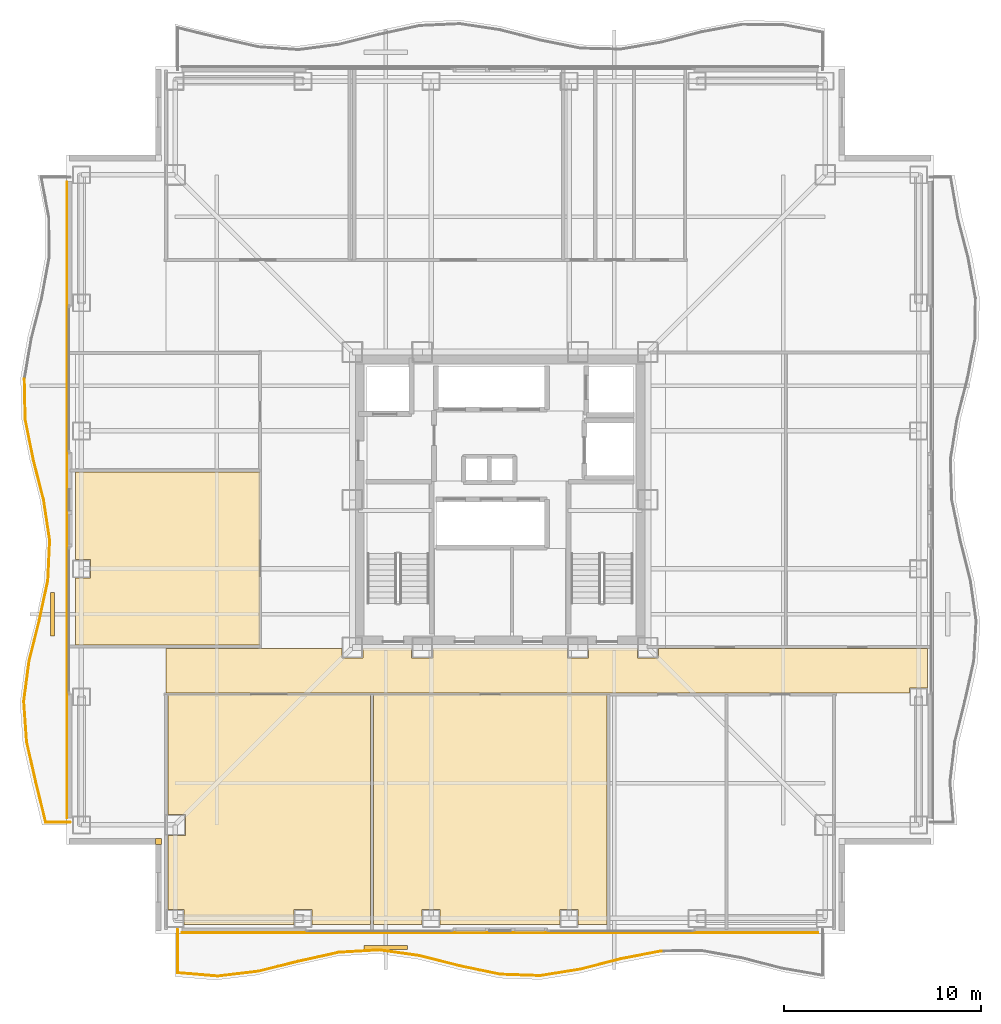
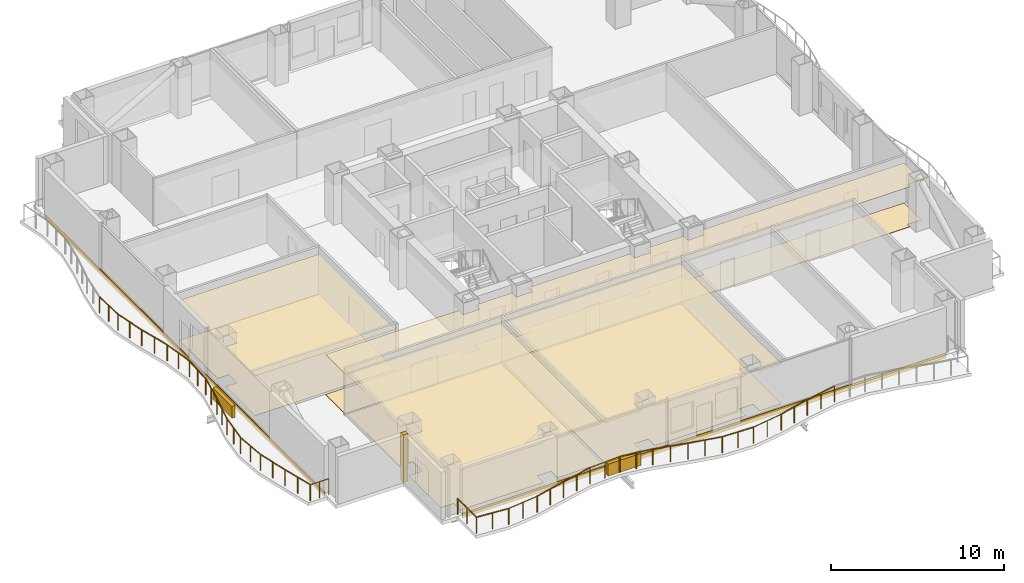
# One storey, part 15 of 18: 25 railings, 11 coverings, 2 shading devices.
"""IFC4 building model written with IfcOpenShell, lengths in metres."""

from ifc_helpers import new_model, si_unit, direction, frame, frame_2d, origin, origin_2d, place, context, subcontext, project, spatial, polyline, rectangle, circle, outline, extrude, material, layer, layer_set, type_object, element, save


model = new_model("IFC4")

# Units and contexts
model_context = context("Model", 3, precision=1e-05, world=origin(), true_north=direction((0.0, 1.0)))
body_context = subcontext(model_context, "Body", "Model", "MODEL_VIEW")
ifc_project = project(units=[si_unit("LENGTHUNIT", "METRE"), si_unit("AREAUNIT", "SQUARE_METRE"), si_unit("VOLUMEUNIT", "CUBIC_METRE"), si_unit("PLANEANGLEUNIT", "RADIAN"), si_unit("MASSUNIT", "GRAM", prefix="KILO")], contexts=[model_context])

# Site, building, storey
site_placement = place(None, origin())
site = spatial("IfcSite", under=ifc_project, at=site_placement, CompositionType="ELEMENT")
building_placement = place(site_placement, origin())
building = spatial("IfcBuilding", under=site, at=building_placement, Name="Trevonay Congress Spire", CompositionType="ELEMENT")
storey_placement = place(building_placement, frame((0.0, 0.0, 122.800048828125)))
storey = spatial("IfcBuildingStorey", under=building, at=storey_placement, Name="L31", CompositionType="ELEMENT", Elevation=122.800048828125)

# Coverings
ifc_material_1 = material(Name="Acoustic Mineral Fibre Board", Category="gypsum")
ifc_layer_1 = layer(ifc_material_1, 0.02490234375, Name="Acoustic Mineral Fibre Board")
ifc_layer_set_1 = layer_set([ifc_layer_1], Name="Acoustic Mineral Fibre Board")
covering_type_1 = type_object("IfcCoveringType", Name="COV-CEIL-ACOUSTIC", PredefinedType="CEILING", material=ifc_layer_set_1)
covering_1_placement = place(storey_placement, frame((0.0, 0.0, 2.81005859375)))
element("IfcCovering", 1, at=covering_1_placement, inside=storey, type_object=covering_type_1, Name="L31 Congress South Spine Corridor acoustic suspended ceiling", PredefinedType="CEILING", context=body_context, shape_type="SweptSolid", body=[
    extrude(outline(polyline([(-16.949951171875, -9.800048828125), (-16.949951171875, -7.550048828125), (-8.034912109375, -7.550048828125), (-8.034912109375, -8.034912109375), (-6.965087890625, -8.034912109375), (-6.965087890625, -7.550048828125), (-4.485107421875, -7.550048828125), (-4.485107421875, -8.034912109375), (-3.4150390625, -8.034912109375), (-3.4150390625, -7.550048828125), (3.4150390625, -7.550048828125), (3.4150390625, -8.034912109375), (4.485107421875, -8.034912109375), (4.485107421875, -7.550048828125), (6.965087890625, -7.550048828125), (6.965087890625, -8.034912109375), (8.034912109375, -8.034912109375), (8.034912109375, -7.550048828125), (21.699951171875, -7.550048828125), (21.699951171875, -9.5400390625), (20.7900390625, -9.5400390625), (20.7900390625, -9.800048828125), (-16.949951171875, -9.800048828125)])), origin(), (0.0, 0.0, 1.0), 0.02490234375),
])
covering_2_placement = place(storey_placement, frame((0.0, 0.0, 2.81005859375)))
element("IfcCovering", 2, at=covering_2_placement, inside=storey, type_object=covering_type_1, Name="L31 Delegates Dining Restaurant West acoustic suspended ceiling", PredefinedType="CEILING", context=body_context, shape_type="SweptSolid", body=[
    extrude(outline(polyline([(-16.0400390625, -21.550048828125), (-16.0400390625, -20.7900390625), (-16.8701171875, -20.7900390625), (-16.8701171875, -17.034912109375), (-15.965087890625, -17.034912109375), (-15.965087890625, -15.965087890625), (-16.8701171875, -15.965087890625), (-16.8701171875, -9.8798828125), (-6.580078125, -9.8798828125), (-6.580078125, -21.550048828125), (-9.5400390625, -21.550048828125), (-9.5400390625, -20.7900390625), (-10.4599609375, -20.7900390625), (-10.4599609375, -21.550048828125), (-16.0400390625, -21.550048828125)])), origin(), (0.0, 0.0, 1.0), 0.02490234375),
])
covering_3_placement = place(storey_placement, frame((0.0, 0.0, 2.81005859375)))
element("IfcCovering", 3, at=covering_3_placement, inside=storey, type_object=covering_type_1, Name="L31 Culinary Archive Office acoustic suspended ceiling", PredefinedType="CEILING", context=body_context, shape_type="SweptSolid", body=[
    extrude(outline(polyline([(-6.419921875, -21.550048828125), (-6.419921875, -9.8798828125), (5.419921875, -9.8798828125), (5.419921875, -21.550048828125), (3.9599609375, -21.550048828125), (3.9599609375, -20.7900390625), (3.0400390625, -20.7900390625), (3.0400390625, -21.550048828125), (-3.0400390625, -21.550048828125), (-3.0400390625, -20.7900390625), (-3.9599609375, -20.7900390625), (-3.9599609375, -21.550048828125), (-6.419921875, -21.550048828125)])), origin(), (0.0, 0.0, 1.0), 0.02490234375),
])
covering_4_placement = place(storey_placement, frame((0.0, 0.0, 2.81005859375)))
element("IfcCovering", 4, at=covering_4_placement, inside=storey, type_object=covering_type_1, Name="L31 Delegates Club Lounge acoustic suspended ceiling", PredefinedType="CEILING", context=body_context, shape_type="SweptSolid", body=[
    extrude(outline(polyline([(-21.550048828125, 1.419921875), (-12.179931640625, 1.419921875), (-12.179931640625, -7.3701171875), (-21.550048828125, -7.3701171875), (-21.550048828125, -3.9599609375), (-20.7900390625, -3.9599609375), (-20.7900390625, -3.0400390625), (-21.550048828125, -3.0400390625), (-21.550048828125, 1.419921875)])), origin(), (0.0, 0.0, 1.0), 0.02490234375),
])
ifc_material_2 = material(Name="Polished Granite Floor Tile", Category="masonry")
ifc_layer_2 = layer(ifc_material_2, 0.02001953125, Name="Polished Granite Floor Tile")
ifc_layer_set_2 = layer_set([ifc_layer_2], Name="Polished Granite Floor Tile")
covering_type_2 = type_object("IfcCoveringType", Name="COV-FLOOR-STONE", PredefinedType="FLOORING", material=ifc_layer_set_2)
covering_5_placement = place(storey_placement, origin())
element("IfcCovering", 5, at=covering_5_placement, inside=storey, type_object=covering_type_2, Name="L31 Congress South Spine Corridor floor finish", PredefinedType="FLOORING", context=body_context, shape_type="SweptSolid", body=[
    extrude(outline(polyline([(-16.949951171875, -9.800048828125), (-16.949951171875, -7.550048828125), (-8.034912109375, -7.550048828125), (-8.034912109375, -8.034912109375), (-6.965087890625, -8.034912109375), (-6.965087890625, -7.550048828125), (-4.485107421875, -7.550048828125), (-4.485107421875, -8.034912109375), (-3.4150390625, -8.034912109375), (-3.4150390625, -7.550048828125), (3.4150390625, -7.550048828125), (3.4150390625, -8.034912109375), (4.485107421875, -8.034912109375), (4.485107421875, -7.550048828125), (6.965087890625, -7.550048828125), (6.965087890625, -8.034912109375), (8.034912109375, -8.034912109375), (8.034912109375, -7.550048828125), (21.699951171875, -7.550048828125), (21.699951171875, -9.5400390625), (20.7900390625, -9.5400390625), (20.7900390625, -9.800048828125), (-16.949951171875, -9.800048828125)])), origin(), (0.0, 0.0, 1.0), 0.02001953125),
])
covering_6_placement = place(storey_placement, origin())
element("IfcCovering", 6, at=covering_6_placement, inside=storey, type_object=covering_type_2, Name="L31 Delegates Dining Restaurant West floor finish", PredefinedType="FLOORING", context=body_context, shape_type="SweptSolid", body=[
    extrude(outline(polyline([(-16.0400390625, -21.550048828125), (-16.0400390625, -20.7900390625), (-16.8701171875, -20.7900390625), (-16.8701171875, -17.034912109375), (-15.965087890625, -17.034912109375), (-15.965087890625, -15.965087890625), (-16.8701171875, -15.965087890625), (-16.8701171875, -9.8798828125), (-6.580078125, -9.8798828125), (-6.580078125, -21.550048828125), (-9.5400390625, -21.550048828125), (-9.5400390625, -20.7900390625), (-10.4599609375, -20.7900390625), (-10.4599609375, -21.550048828125), (-16.0400390625, -21.550048828125)])), origin(), (0.0, 0.0, 1.0), 0.02001953125),
])
ifc_material_3 = material(Name="Engineered Oak Flooring", Category="wood")
ifc_layer_3 = layer(ifc_material_3, 0.01806640625, Name="Engineered Oak Flooring")
ifc_layer_set_3 = layer_set([ifc_layer_3], Name="Engineered Oak Flooring")
covering_type_3 = type_object("IfcCoveringType", Name="COV-FLOOR-TIMBER", PredefinedType="FLOORING", material=ifc_layer_set_3)
covering_7_placement = place(storey_placement, origin())
element("IfcCovering", 7, at=covering_7_placement, inside=storey, type_object=covering_type_3, Name="L31 Culinary Archive Office floor finish", PredefinedType="FLOORING", context=body_context, shape_type="SweptSolid", body=[
    extrude(outline(polyline([(-6.419921875, -21.550048828125), (-6.419921875, -9.8798828125), (5.419921875, -9.8798828125), (5.419921875, -21.550048828125), (3.9599609375, -21.550048828125), (3.9599609375, -20.7900390625), (3.0400390625, -20.7900390625), (3.0400390625, -21.550048828125), (-3.0400390625, -21.550048828125), (-3.0400390625, -20.7900390625), (-3.9599609375, -20.7900390625), (-3.9599609375, -21.550048828125), (-6.419921875, -21.550048828125)])), origin(), (0.0, 0.0, 1.0), 0.01806640625),
])
covering_8_placement = place(storey_placement, origin())
element("IfcCovering", 8, at=covering_8_placement, inside=storey, type_object=covering_type_3, Name="L31 Delegates Club Lounge floor finish", PredefinedType="FLOORING", context=body_context, shape_type="SweptSolid", body=[
    extrude(outline(polyline([(-21.550048828125, 1.419921875), (-12.179931640625, 1.419921875), (-12.179931640625, -7.3701171875), (-21.550048828125, -7.3701171875), (-21.550048828125, -3.9599609375), (-20.7900390625, -3.9599609375), (-20.7900390625, -3.0400390625), (-21.550048828125, -3.0400390625), (-21.550048828125, 1.419921875)])), origin(), (0.0, 0.0, 1.0), 0.01806640625),
])
ifc_material_4 = material(Name="Pale Anodised Aluminium EN AW-6063-T6", Category="aluminium")
ifc_layer_4 = layer(ifc_material_4, 0.0400390625, Name="Pale Anodised Aluminium EN AW-6063-T6")
ifc_layer_set_4 = layer_set([ifc_layer_4], Name="Pale Anodised Aluminium EN AW-6063-T6")
covering_type_4 = type_object("IfcCoveringType", Name="COV-SPANDREL-PALE-METAL", PredefinedType="CLADDING", material=ifc_layer_set_4)
for number, where, z_axis, x_axis, name in (
    (9, (-16.14990234375, -21.97998046875, -0.239990234375), (0.0, 0.0, 1.0), (1.0, 0.0, 0.0), "L31 S pale-metal slab-edge spandrel cladding"),
    (10, (-21.97998046875, -16.14990234375, -0.239990234375), (0.0, 0.0, 1.0), (0.0, 1.0, 0.0), "L31 W pale-metal slab-edge spandrel cladding"),
):
    element("IfcCovering", number, at=place(storey_placement, frame(where, z_axis=z_axis, x_axis=x_axis)), inside=storey, type_object=covering_type_4, Name=name, PredefinedType="CLADDING", context=body_context, shape_type="SweptSolid", body=[
        extrude(rectangle(XDim=32.2998046875, YDim=0.0400390625, at=frame_2d((16.14990234375, 0.0))), origin(), (0.0, 0.0, 1.0), 0.35986328125),
    ])
covering_9_placement = place(storey_placement, origin())
element("IfcCovering", 11, at=covering_9_placement, inside=storey, type_object=covering_type_4, Name="L31 SW re-entrant notch corner closure trim", PredefinedType="CLADDING", context=body_context, shape_type="SweptSolid", body=[
    extrude(outline(polyline([(-17.5, -17.5), (-17.199951171875, -17.5), (-17.199951171875, -17.199951171875), (-17.5, -17.199951171875), (-17.5, -17.5)])), origin(), (0.0, 0.0, 1.0), 3.35986328125),
])

# Railings
railing_type = type_object("IfcRailingType", Name="RAL-EXT-GUARD-115", PredefinedType="GUARDRAIL", material=ifc_material_4)
railing_1_placement = place(storey_placement, frame((-16.367919921875, -24.008056640625, 0.0)))
element("IfcRailing", 12, at=railing_1_placement, inside=storey, type_object=railing_type, Name="L31 perimeter safety guard GRD-L31-WAV-S-1", PredefinedType="GUARDRAIL", context=body_context, shape_type="SweptSolid", body=[
    extrude(circle(Radius=0.02392578125, at=origin_2d()), frame((0.0, 0.0, 1.1259765625), z_axis=(0.996568684445, -0.082769905057, 0.0), x_axis=(0.082769905057, 0.996568684445, 0.0)), (0.0, 0.0, 1.0), 2.052978515625),
    extrude(circle(Radius=0.02099609375, at=origin_2d()), origin(), (0.0, 0.0, 1.0), 1.101806640625),
    extrude(circle(Radius=0.02099609375, at=origin_2d()), frame((1.02294921875, -0.0849609375, 0.0)), (0.0, 0.0, 1.0), 1.101806640625),
    extrude(circle(Radius=0.02099609375, at=origin_2d()), frame((2.0458984375, -0.169921875, 0.0)), (0.0, 0.0, 1.0), 1.101806640625),
])
railing_2_placement = place(storey_placement, frame((-14.322021484375, -24.177978515625, 0.0)))
element("IfcRailing", 13, at=railing_2_placement, inside=storey, type_object=railing_type, Name="L31 perimeter safety guard GRD-L31-WAV-S-2", PredefinedType="GUARDRAIL", context=body_context, shape_type="SweptSolid", body=[
    extrude(circle(Radius=0.02392578125, at=origin_2d()), frame((0.0, 0.0, 1.1259765625), z_axis=(0.992970713292, 0.118360308147, 0.0), x_axis=(-0.118360308147, 0.992970713292, 0.0)), (0.0, 0.0, 1.0), 2.060546875),
    extrude(circle(Radius=0.02099609375, at=origin_2d()), origin(), (0.0, 0.0, 1.0), 1.101806640625),
    extrude(circle(Radius=0.02099609375, at=origin_2d()), frame((1.02294921875, 0.1220703125, 0.0)), (0.0, 0.0, 1.0), 1.101806640625),
    extrude(circle(Radius=0.02099609375, at=origin_2d()), frame((2.046142578125, 0.243896484375, 0.0)), (0.0, 0.0, 1.0), 1.101806640625),
])
railing_3_placement = place(storey_placement, frame((-12.27587890625, -23.93408203125, 0.0)))
element("IfcRailing", 14, at=railing_3_placement, inside=storey, type_object=railing_type, Name="L31 perimeter safety guard GRD-L31-WAV-S-3", PredefinedType="GUARDRAIL", context=body_context, shape_type="SweptSolid", body=[
    extrude(circle(Radius=0.02392578125, at=origin_2d()), frame((0.0, 0.0, 1.1259765625), z_axis=(0.970522805463, 0.241009302884, 0.0), x_axis=(-0.241009302884, 0.970522805463, 0.0)), (0.0, 0.0, 1.0), 2.108154296875),
    extrude(circle(Radius=0.02099609375, at=origin_2d()), origin(), (0.0, 0.0, 1.0), 1.101806640625),
    extrude(circle(Radius=0.02099609375, at=origin_2d()), frame((1.02294921875, 0.25390625, 0.0)), (0.0, 0.0, 1.0), 1.101806640625),
    extrude(circle(Radius=0.02099609375, at=origin_2d()), frame((2.0458984375, 0.508056640625, 0.0)), (0.0, 0.0, 1.0), 1.101806640625),
])
railing_4_placement = place(storey_placement, frame((-10.22998046875, -23.426025390625, 0.0)))
element("IfcRailing", 15, at=railing_4_placement, inside=storey, type_object=railing_type, Name="L31 perimeter safety guard GRD-L31-WAV-S-4", PredefinedType="GUARDRAIL", context=body_context, shape_type="SweptSolid", body=[
    extrude(circle(Radius=0.02392578125, at=origin_2d()), frame((0.0, 0.0, 1.1259765625), z_axis=(0.97624185096, 0.216683752122, 0.0), x_axis=(-0.216683752122, 0.97624185096, 0.0)), (0.0, 0.0, 1.0), 2.095703125),
    extrude(circle(Radius=0.02099609375, at=origin_2d()), origin(), (0.0, 0.0, 1.0), 1.101806640625),
    extrude(circle(Radius=0.02099609375, at=origin_2d()), frame((1.02294921875, 0.22705078125, 0.0)), (0.0, 0.0, 1.0), 1.101806640625),
    extrude(circle(Radius=0.02099609375, at=origin_2d()), frame((2.0458984375, 0.4541015625, 0.0)), (0.0, 0.0, 1.0), 1.101806640625),
])
railing_5_placement = place(storey_placement, frame((-8.18408203125, -22.971923828125, 0.0)))
element("IfcRailing", 16, at=railing_5_placement, inside=storey, type_object=railing_type, Name="L31 perimeter safety guard GRD-L31-WAV-S-5", PredefinedType="GUARDRAIL", context=body_context, shape_type="SweptSolid", body=[
    extrude(circle(Radius=0.02392578125, at=origin_2d()), frame((0.0, 0.0, 1.1259765625), z_axis=(0.998260380334, 0.058959418717, 0.0), x_axis=(-0.058959418717, 0.998260380334, 0.0)), (0.0, 0.0, 1.0), 2.0498046875),
    extrude(circle(Radius=0.02099609375, at=origin_2d()), origin(), (0.0, 0.0, 1.0), 1.101806640625),
    extrude(circle(Radius=0.02099609375, at=origin_2d()), frame((1.02294921875, 0.060546875, 0.0)), (0.0, 0.0, 1.0), 1.101806640625),
    extrude(circle(Radius=0.02099609375, at=origin_2d()), frame((2.046142578125, 0.120849609375, 0.0)), (0.0, 0.0, 1.0), 1.101806640625),
])
railing_6_placement = place(storey_placement, frame((-6.137939453125, -22.85107421875, 0.0)))
element("IfcRailing", 17, at=railing_6_placement, inside=storey, type_object=railing_type, Name="L31 perimeter safety guard GRD-L31-WAV-S-6", PredefinedType="GUARDRAIL", context=body_context, shape_type="SweptSolid", body=[
    extrude(circle(Radius=0.02392578125, at=origin_2d()), frame((0.0, 0.0, 1.1259765625), z_axis=(0.990182096121, -0.139783462973, 0.0), x_axis=(0.139783462973, 0.990182096121, 0.0)), (0.0, 0.0, 1.0), 2.066162109375),
    extrude(circle(Radius=0.02099609375, at=origin_2d()), origin(), (0.0, 0.0, 1.0), 1.101806640625),
    extrude(circle(Radius=0.02099609375, at=origin_2d()), frame((1.02294921875, -0.14453125, 0.0)), (0.0, 0.0, 1.0), 1.101806640625),
    extrude(circle(Radius=0.02099609375, at=origin_2d()), frame((2.0458984375, -0.288818359375, 0.0)), (0.0, 0.0, 1.0), 1.101806640625),
])
railing_7_placement = place(storey_placement, frame((-4.092041015625, -23.139892578125, 0.0)))
element("IfcRailing", 18, at=railing_7_placement, inside=storey, type_object=railing_type, Name="L31 perimeter safety guard GRD-L31-WAV-S-7", PredefinedType="GUARDRAIL", context=body_context, shape_type="SweptSolid", body=[
    extrude(circle(Radius=0.02392578125, at=origin_2d()), frame((0.0, 0.0, 1.1259765625), z_axis=(0.969299931982, -0.245881357284, 0.0), x_axis=(0.245881357284, 0.969299931982, 0.0)), (0.0, 0.0, 1.0), 2.11083984375),
    extrude(circle(Radius=0.02099609375, at=origin_2d()), origin(), (0.0, 0.0, 1.0), 1.101806640625),
    extrude(circle(Radius=0.02099609375, at=origin_2d()), frame((1.02294921875, -0.259521484375, 0.0)), (0.0, 0.0, 1.0), 1.101806640625),
    extrude(circle(Radius=0.02099609375, at=origin_2d()), frame((2.046142578125, -0.51904296875, 0.0)), (0.0, 0.0, 1.0), 1.101806640625),
])
railing_8_placement = place(storey_placement, frame((-2.0458984375, -23.658935546875, 0.0)))
element("IfcRailing", 19, at=railing_8_placement, inside=storey, type_object=railing_type, Name="L31 perimeter safety guard GRD-L31-WAV-S-8", PredefinedType="GUARDRAIL", context=body_context, shape_type="SweptSolid", body=[
    extrude(circle(Radius=0.02392578125, at=origin_2d()), frame((0.0, 0.0, 1.1259765625), z_axis=(0.978906496052, -0.2043087663, 0.0), x_axis=(0.2043087663, 0.978906496052, 0.0)), (0.0, 0.0, 1.0), 2.090087890625),
    extrude(circle(Radius=0.02099609375, at=origin_2d()), origin(), (0.0, 0.0, 1.0), 1.101806640625),
    extrude(circle(Radius=0.02099609375, at=origin_2d()), frame((1.02294921875, -0.21337890625, 0.0)), (0.0, 0.0, 1.0), 1.101806640625),
    extrude(circle(Radius=0.02099609375, at=origin_2d()), frame((2.0458984375, -0.427001953125, 0.0)), (0.0, 0.0, 1.0), 1.101806640625),
])
railing_9_placement = place(storey_placement, frame((0.0, -24.0859375, 0.0)))
element("IfcRailing", 20, at=railing_9_placement, inside=storey, type_object=railing_type, Name="L31 perimeter safety guard GRD-L31-WAV-S-9", PredefinedType="GUARDRAIL", context=body_context, shape_type="SweptSolid", body=[
    extrude(circle(Radius=0.02392578125, at=origin_2d()), frame((0.0, 0.0, 1.1259765625), z_axis=(0.99943025102, -0.033751642129, 0.0), x_axis=(0.033751642129, 0.99943025102, 0.0)), (0.0, 0.0, 1.0), 2.047119140625),
    extrude(circle(Radius=0.02099609375, at=origin_2d()), origin(), (0.0, 0.0, 1.0), 1.101806640625),
    extrude(circle(Radius=0.02099609375, at=origin_2d()), frame((1.02294921875, -0.03466796875, 0.0)), (0.0, 0.0, 1.0), 1.101806640625),
    extrude(circle(Radius=0.02099609375, at=origin_2d()), frame((2.0458984375, -0.069091796875, 0.0)), (0.0, 0.0, 1.0), 1.101806640625),
])
railing_10_placement = place(storey_placement, frame((2.0458984375, -24.155029296875, 0.0)))
element("IfcRailing", 21, at=railing_10_placement, inside=storey, type_object=railing_type, Name="L31 perimeter safety guard GRD-L31-WAV-S-10", PredefinedType="GUARDRAIL", context=body_context, shape_type="SweptSolid", body=[
    extrude(circle(Radius=0.02392578125, at=origin_2d()), frame((0.0, 0.0, 1.1259765625), z_axis=(0.987162756393, 0.159717539395, 0.0), x_axis=(-0.159717539395, 0.987162756393, 0.0)), (0.0, 0.0, 1.0), 2.07275390625),
    extrude(circle(Radius=0.02099609375, at=origin_2d()), origin(), (0.0, 0.0, 1.0), 1.101806640625),
    extrude(circle(Radius=0.02099609375, at=origin_2d()), frame((1.02294921875, 0.16552734375, 0.0)), (0.0, 0.0, 1.0), 1.101806640625),
    extrude(circle(Radius=0.02099609375, at=origin_2d()), frame((2.046142578125, 0.3310546875, 0.0)), (0.0, 0.0, 1.0), 1.101806640625),
])
railing_11_placement = place(storey_placement, frame((4.092041015625, -23.823974609375, 0.0)))
element("IfcRailing", 22, at=railing_11_placement, inside=storey, type_object=railing_type, Name="L31 perimeter safety guard GRD-L31-WAV-S-11", PredefinedType="GUARDRAIL", context=body_context, shape_type="SweptSolid", body=[
    extrude(circle(Radius=0.02392578125, at=origin_2d()), frame((0.0, 0.0, 1.1259765625), z_axis=(0.968516821858, 0.248948118649, 0.0), x_axis=(-0.248948118649, 0.968516821858, 0.0)), (0.0, 0.0, 1.0), 2.1123046875),
    extrude(circle(Radius=0.02099609375, at=origin_2d()), origin(), (0.0, 0.0, 1.0), 1.101806640625),
    extrude(circle(Radius=0.02099609375, at=origin_2d()), frame((1.02294921875, 0.262939453125, 0.0)), (0.0, 0.0, 1.0), 1.101806640625),
    extrude(circle(Radius=0.02099609375, at=origin_2d()), frame((2.0458984375, 0.52587890625, 0.0)), (0.0, 0.0, 1.0), 1.101806640625),
])
railing_12_placement = place(storey_placement, frame((6.137939453125, -23.298095703125, 0.0)))
element("IfcRailing", 23, at=railing_12_placement, inside=storey, type_object=railing_type, Name="L31 perimeter safety guard GRD-L31-WAV-S-12", PredefinedType="GUARDRAIL", context=body_context, shape_type="SweptSolid", body=[
    extrude(circle(Radius=0.02392578125, at=origin_2d()), frame((0.0, 0.0, 1.1259765625), z_axis=(0.981957107407, 0.189103778947, 0.0), x_axis=(-0.189103778947, 0.981957107407, 0.0)), (0.0, 0.0, 1.0), 2.083740234375),
    extrude(circle(Radius=0.02099609375, at=origin_2d()), origin(), (0.0, 0.0, 1.0), 1.101806640625),
    extrude(circle(Radius=0.02099609375, at=origin_2d()), frame((1.02294921875, 0.197021484375, 0.0)), (0.0, 0.0, 1.0), 1.101806640625),
    extrude(circle(Radius=0.02099609375, at=origin_2d()), frame((2.046142578125, 0.39404296875, 0.0)), (0.0, 0.0, 1.0), 1.101806640625),
])
railing_13_placement = place(storey_placement, frame((-16.367919921875, -21.823974609375, 0.0)))
element("IfcRailing", 24, at=railing_13_placement, inside=storey, type_object=railing_type, Name="L31 perimeter safety guard GRD-L31-WAV-S-34", PredefinedType="GUARDRAIL", context=body_context, shape_type="SweptSolid", body=[
    extrude(circle(Radius=0.02392578125, at=origin_2d()), frame((0.0, 0.0, 1.1259765625), z_axis=(0.0, -1.0, 0.0), x_axis=(1.0, 0.0, 0.0)), (0.0, 0.0, 1.0), 2.18408203125),
    extrude(circle(Radius=0.02099609375, at=origin_2d()), origin(), (0.0, 0.0, 1.0), 1.101806640625),
    extrude(circle(Radius=0.02099609375, at=origin_2d()), frame((0.0, -1.092041015625, 0.0)), (0.0, 0.0, 1.0), 1.101806640625),
    extrude(circle(Radius=0.02099609375, at=origin_2d()), frame((0.0, -2.18408203125, 0.0)), (0.0, 0.0, 1.0), 1.101806640625),
])
railing_14_placement = place(storey_placement, frame((-24.14501953125, 6.137939453125, 0.0)))
element("IfcRailing", 25, at=railing_14_placement, inside=storey, type_object=railing_type, Name="L31 perimeter safety guard GRD-L31-WAV-W-23", PredefinedType="GUARDRAIL", context=body_context, shape_type="SweptSolid", body=[
    extrude(circle(Radius=0.02392578125, at=origin_2d()), frame((0.0, 0.0, 1.1259765625), z_axis=(0.020997756088, -0.999779522815, 0.0), x_axis=(0.999779522815, 0.020997756088, 0.0)), (0.0, 0.0, 1.0), 2.04638671875),
    extrude(circle(Radius=0.02099609375, at=origin_2d()), origin(), (0.0, 0.0, 1.0), 1.101806640625),
    extrude(circle(Radius=0.02099609375, at=origin_2d()), frame((0.021484375, -1.02294921875, 0.0)), (0.0, 0.0, 1.0), 1.101806640625),
    extrude(circle(Radius=0.02099609375, at=origin_2d()), frame((0.04296875, -2.0458984375, 0.0)), (0.0, 0.0, 1.0), 1.101806640625),
])
railing_15_placement = place(storey_placement, frame((-24.10205078125, 4.092041015625, 0.0)))
element("IfcRailing", 26, at=railing_15_placement, inside=storey, type_object=railing_type, Name="L31 perimeter safety guard GRD-L31-WAV-W-24", PredefinedType="GUARDRAIL", context=body_context, shape_type="SweptSolid", body=[
    extrude(circle(Radius=0.02392578125, at=origin_2d()), frame((0.0, 0.0, 1.1259765625), z_axis=(0.196993402554, -0.980404814018, 0.0), x_axis=(0.980404814018, 0.196993402554, 0.0)), (0.0, 0.0, 1.0), 2.087158203125),
    extrude(circle(Radius=0.02099609375, at=origin_2d()), origin(), (0.0, 0.0, 1.0), 1.101806640625),
    extrude(circle(Radius=0.02099609375, at=origin_2d()), frame((0.20556640625, -1.02294921875, 0.0)), (0.0, 0.0, 1.0), 1.101806640625),
    extrude(circle(Radius=0.02099609375, at=origin_2d()), frame((0.4111328125, -2.046142578125, 0.0)), (0.0, 0.0, 1.0), 1.101806640625),
])
railing_16_placement = place(storey_placement, frame((-23.69091796875, 2.0458984375, 0.0)))
element("IfcRailing", 27, at=railing_16_placement, inside=storey, type_object=railing_type, Name="L31 perimeter safety guard GRD-L31-WAV-W-25", PredefinedType="GUARDRAIL", context=body_context, shape_type="SweptSolid", body=[
    extrude(circle(Radius=0.02392578125, at=origin_2d()), frame((0.0, 0.0, 1.1259765625), z_axis=(0.247646501369, -0.968850458203, 0.0), x_axis=(0.968850458203, 0.247646501369, 0.0)), (0.0, 0.0, 1.0), 2.111572265625),
    extrude(circle(Radius=0.02099609375, at=origin_2d()), origin(), (0.0, 0.0, 1.0), 1.101806640625),
    extrude(circle(Radius=0.02099609375, at=origin_2d()), frame((0.261474609375, -1.02294921875, 0.0)), (0.0, 0.0, 1.0), 1.101806640625),
    extrude(circle(Radius=0.02099609375, at=origin_2d()), frame((0.52294921875, -2.0458984375, 0.0)), (0.0, 0.0, 1.0), 1.101806640625),
])
railing_17_placement = place(storey_placement, frame((-23.16796875, 0.0, 0.0)))
element("IfcRailing", 28, at=railing_17_placement, inside=storey, type_object=railing_type, Name="L31 perimeter safety guard GRD-L31-WAV-W-26", PredefinedType="GUARDRAIL", context=body_context, shape_type="SweptSolid", body=[
    extrude(circle(Radius=0.02392578125, at=origin_2d()), frame((0.0, 0.0, 1.1259765625), z_axis=(0.149840329863, -0.988710208072, 0.0), x_axis=(0.988710208072, 0.149840329863, 0.0)), (0.0, 0.0, 1.0), 2.0693359375),
    extrude(circle(Radius=0.02099609375, at=origin_2d()), origin(), (0.0, 0.0, 1.0), 1.101806640625),
    extrude(circle(Radius=0.02099609375, at=origin_2d()), frame((0.155029296875, -1.02294921875, 0.0)), (0.0, 0.0, 1.0), 1.101806640625),
    extrude(circle(Radius=0.02099609375, at=origin_2d()), frame((0.31005859375, -2.0458984375, 0.0)), (0.0, 0.0, 1.0), 1.101806640625),
])
railing_18_placement = place(storey_placement, frame((-22.85791015625, -2.0458984375, 0.0)))
element("IfcRailing", 29, at=railing_18_placement, inside=storey, type_object=railing_type, Name="L31 perimeter safety guard GRD-L31-WAV-W-27", PredefinedType="GUARDRAIL", context=body_context, shape_type="SweptSolid", body=[
    extrude(circle(Radius=0.02392578125, at=origin_2d()), frame((0.0, 0.0, 1.1259765625), z_axis=(-0.0463645941, -0.998924583947, 0.0), x_axis=(0.998924583947, -0.0463645941, 0.0)), (0.0, 0.0, 1.0), 2.04833984375),
    extrude(circle(Radius=0.02099609375, at=origin_2d()), origin(), (0.0, 0.0, 1.0), 1.101806640625),
    extrude(circle(Radius=0.02099609375, at=origin_2d()), frame((-0.04736328125, -1.02294921875, 0.0)), (0.0, 0.0, 1.0), 1.101806640625),
    extrude(circle(Radius=0.02099609375, at=origin_2d()), frame((-0.094970703125, -2.046142578125, 0.0)), (0.0, 0.0, 1.0), 1.101806640625),
])
railing_19_placement = place(storey_placement, frame((-22.952880859375, -4.092041015625, 0.0)))
element("IfcRailing", 30, at=railing_19_placement, inside=storey, type_object=railing_type, Name="L31 perimeter safety guard GRD-L31-WAV-W-28", PredefinedType="GUARDRAIL", context=body_context, shape_type="SweptSolid", body=[
    extrude(circle(Radius=0.02392578125, at=origin_2d()), frame((0.0, 0.0, 1.1259765625), z_axis=(-0.210787603373, -0.977531885037, 0.0), x_axis=(0.977531885037, -0.210787603373, 0.0)), (0.0, 0.0, 1.0), 2.093017578125),
    extrude(circle(Radius=0.02099609375, at=origin_2d()), origin(), (0.0, 0.0, 1.0), 1.101806640625),
    extrude(circle(Radius=0.02099609375, at=origin_2d()), frame((-0.220703125, -1.02294921875, 0.0)), (0.0, 0.0, 1.0), 1.101806640625),
    extrude(circle(Radius=0.02099609375, at=origin_2d()), frame((-0.441162109375, -2.0458984375, 0.0)), (0.0, 0.0, 1.0), 1.101806640625),
])
railing_20_placement = place(storey_placement, frame((-23.39404296875, -6.137939453125, 0.0)))
element("IfcRailing", 31, at=railing_20_placement, inside=storey, type_object=railing_type, Name="L31 perimeter safety guard GRD-L31-WAV-W-29", PredefinedType="GUARDRAIL", context=body_context, shape_type="SweptSolid", body=[
    extrude(circle(Radius=0.02392578125, at=origin_2d()), frame((0.0, 0.0, 1.1259765625), z_axis=(-0.243161911973, -0.969985713588, 0.0), x_axis=(0.969985713588, -0.243161911973, 0.0)), (0.0, 0.0, 1.0), 2.109375),
    extrude(circle(Radius=0.02099609375, at=origin_2d()), origin(), (0.0, 0.0, 1.0), 1.101806640625),
    extrude(circle(Radius=0.02099609375, at=origin_2d()), frame((-0.25634765625, -1.02294921875, 0.0)), (0.0, 0.0, 1.0), 1.101806640625),
    extrude(circle(Radius=0.02099609375, at=origin_2d()), frame((-0.512939453125, -2.046142578125, 0.0)), (0.0, 0.0, 1.0), 1.101806640625),
])
railing_21_placement = place(storey_placement, frame((-23.906982421875, -8.18408203125, 0.0)))
element("IfcRailing", 32, at=railing_21_placement, inside=storey, type_object=railing_type, Name="L31 perimeter safety guard GRD-L31-WAV-W-30", PredefinedType="GUARDRAIL", context=body_context, shape_type="SweptSolid", body=[
    extrude(circle(Radius=0.02392578125, at=origin_2d()), frame((0.0, 0.0, 1.1259765625), z_axis=(-0.129915809248, -0.991525028684, 0.0), x_axis=(0.991525028684, -0.129915809248, 0.0)), (0.0, 0.0, 1.0), 2.0634765625),
    extrude(circle(Radius=0.02099609375, at=origin_2d()), origin(), (0.0, 0.0, 1.0), 1.101806640625),
    extrude(circle(Radius=0.02099609375, at=origin_2d()), frame((-0.134033203125, -1.02294921875, 0.0)), (0.0, 0.0, 1.0), 1.101806640625),
    extrude(circle(Radius=0.02099609375, at=origin_2d()), frame((-0.26806640625, -2.0458984375, 0.0)), (0.0, 0.0, 1.0), 1.101806640625),
])
railing_22_placement = place(storey_placement, frame((-24.175048828125, -10.22998046875, 0.0)))
element("IfcRailing", 33, at=railing_22_placement, inside=storey, type_object=railing_type, Name="L31 perimeter safety guard GRD-L31-WAV-W-31", PredefinedType="GUARDRAIL", context=body_context, shape_type="SweptSolid", body=[
    extrude(circle(Radius=0.02392578125, at=origin_2d()), frame((0.0, 0.0, 1.1259765625), z_axis=(0.07117937848, -0.997463531203, 0.0), x_axis=(0.997463531203, 0.07117937848, 0.0)), (0.0, 0.0, 1.0), 2.051025390625),
    extrude(circle(Radius=0.02099609375, at=origin_2d()), origin(), (0.0, 0.0, 1.0), 1.101806640625),
    extrude(circle(Radius=0.02099609375, at=origin_2d()), frame((0.072998046875, -1.02294921875, 0.0)), (0.0, 0.0, 1.0), 1.101806640625),
    extrude(circle(Radius=0.02099609375, at=origin_2d()), frame((0.14599609375, -2.0458984375, 0.0)), (0.0, 0.0, 1.0), 1.101806640625),
])
railing_23_placement = place(storey_placement, frame((-24.029052734375, -12.27587890625, 0.0)))
element("IfcRailing", 34, at=railing_23_placement, inside=storey, type_object=railing_type, Name="L31 perimeter safety guard GRD-L31-WAV-W-32", PredefinedType="GUARDRAIL", context=body_context, shape_type="SweptSolid", body=[
    extrude(circle(Radius=0.02392578125, at=origin_2d()), frame((0.0, 0.0, 1.1259765625), z_axis=(0.222531044203, -0.974925604529, 0.0), x_axis=(0.974925604529, 0.222531044203, 0.0)), (0.0, 0.0, 1.0), 2.098876953125),
    extrude(circle(Radius=0.02099609375, at=origin_2d()), origin(), (0.0, 0.0, 1.0), 1.101806640625),
    extrude(circle(Radius=0.02099609375, at=origin_2d()), frame((0.2333984375, -1.02294921875, 0.0)), (0.0, 0.0, 1.0), 1.101806640625),
    extrude(circle(Radius=0.02099609375, at=origin_2d()), frame((0.467041015625, -2.046142578125, 0.0)), (0.0, 0.0, 1.0), 1.101806640625),
])
railing_24_placement = place(storey_placement, frame((-23.56201171875, -14.322021484375, 0.0)))
element("IfcRailing", 35, at=railing_24_placement, inside=storey, type_object=railing_type, Name="L31 perimeter safety guard GRD-L31-WAV-W-33", PredefinedType="GUARDRAIL", context=body_context, shape_type="SweptSolid", body=[
    extrude(circle(Radius=0.02392578125, at=origin_2d()), frame((0.0, 0.0, 1.1259765625), z_axis=(0.237404475017, -0.971410888987, 0.0), x_axis=(0.971410888987, 0.237404475017, 0.0)), (0.0, 0.0, 1.0), 2.106201171875),
    extrude(circle(Radius=0.02099609375, at=origin_2d()), origin(), (0.0, 0.0, 1.0), 1.101806640625),
    extrude(circle(Radius=0.02099609375, at=origin_2d()), frame((0.25, -1.02294921875, 0.0)), (0.0, 0.0, 1.0), 1.101806640625),
    extrude(circle(Radius=0.02099609375, at=origin_2d()), frame((0.5, -2.0458984375, 0.0)), (0.0, 0.0, 1.0), 1.101806640625),
])
railing_25_placement = place(storey_placement, frame((-23.06201171875, -16.367919921875, 0.0)))
element("IfcRailing", 36, at=railing_25_placement, inside=storey, type_object=railing_type, Name="L31 perimeter safety guard GRD-L31-WAV-W-34", PredefinedType="GUARDRAIL", context=body_context, shape_type="SweptSolid", body=[
    extrude(circle(Radius=0.02392578125, at=origin_2d()), frame((0.0, 0.0, 1.1259765625), z_axis=(1.0, 0.0, 0.0), x_axis=(0.0, 1.0, 0.0)), (0.0, 0.0, 1.0), 1.238037109375),
    extrude(circle(Radius=0.02099609375, at=origin_2d()), origin(), (0.0, 0.0, 1.0), 1.101806640625),
    extrude(circle(Radius=0.02099609375, at=origin_2d()), frame((0.619140625, 0.0, 0.0)), (0.0, 0.0, 1.0), 1.101806640625),
    extrude(circle(Radius=0.02099609375, at=origin_2d()), frame((1.238037109375, 0.0, 0.0)), (0.0, 0.0, 1.0), 1.101806640625),
])

# Shading devices
shading_device_type = type_object("IfcShadingDeviceType", Name="SHD-LOUVRE-WAVE-ALUM", PredefinedType="USERDEFINED", material=ifc_material_4)
for number, where, z_axis, x_axis, name in (
    (37, (-5.800048828125, -22.719970703125, -0.01513671875), (0.0, 0.0, 1.0), (1.0, 0.0, 0.0), "L31 S sinusoidal balcony horizontal sunshade louvre"),
    (38, (-22.719970703125, -5.800048828125, -0.01513671875), (0.0, 0.0, 1.0), (0.0, 1.0, 0.0), "L31 W sinusoidal balcony horizontal sunshade louvre"),
):
    element("IfcShadingDevice", number, at=place(storey_placement, frame(where, z_axis=z_axis, x_axis=x_axis)), inside=storey, type_object=shading_device_type, Name=name, ObjectType="LOUVRE", PredefinedType="USERDEFINED", context=body_context, shape_type="SweptSolid", body=[
        extrude(rectangle(XDim=2.199951171875, YDim=0.219970703125, at=origin_2d()), origin(), (0.0, 0.0, 1.0), 0.85009765625),
    ])

save(model, "model.ifc")
